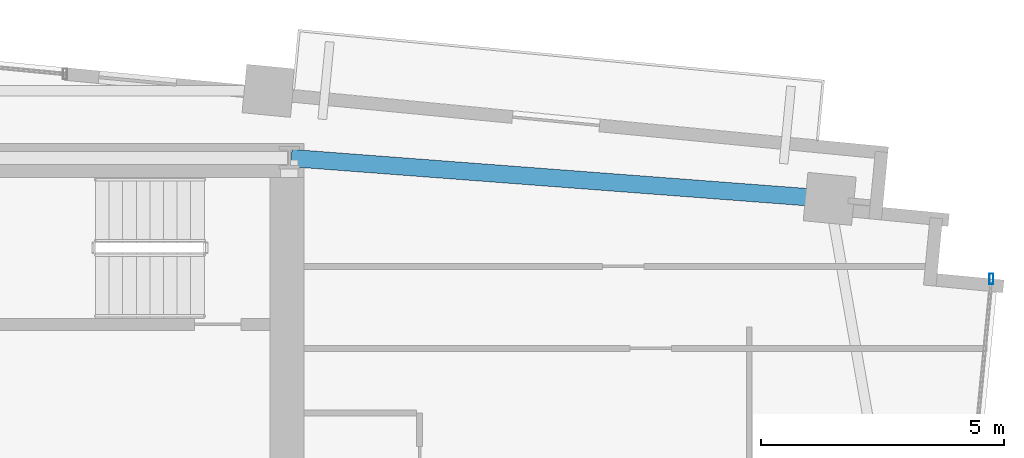
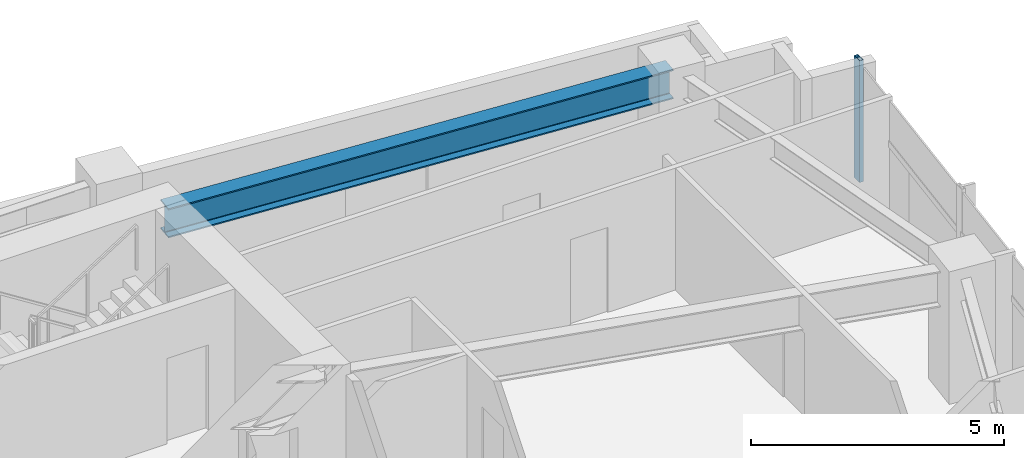
# One storey, part 13 of 20: 1 beam, 1 member, 1 element without a shape of its own.
"""IFC4 building model written with IfcOpenShell, lengths in metres."""

from ifc_helpers import new_model, si_unit, direction, frame, origin, origin_2d, place, context, subcontext, project, spatial, hollow_rectangle, i_section, extrude, source, transform, mapped, material, material_profile, profile_set, type_object, type_shapes, element, aggregate, save


model = new_model("IFC4")

# Units and contexts
model_context = context("Model", 3, precision=1e-05, world=origin(), true_north=direction((0.0, 1.0)))
body_context = subcontext(model_context, "Body", "Model", "MODEL_VIEW")
ifc_project = project(units=[si_unit("LENGTHUNIT", "METRE"), si_unit("AREAUNIT", "SQUARE_METRE"), si_unit("VOLUMEUNIT", "CUBIC_METRE"), si_unit("PLANEANGLEUNIT", "RADIAN"), si_unit("MASSUNIT", "GRAM", prefix="KILO")], contexts=[model_context])

# Site, building, storey
site_placement = place(None, origin())
site = spatial("IfcSite", under=ifc_project, at=site_placement, CompositionType="ELEMENT")
building_placement = place(site_placement, origin())
building = spatial("IfcBuilding", under=site, at=building_placement, Name="Astriad Promenade Condominiums", CompositionType="ELEMENT")
storey_placement = place(building_placement, frame((0.0, 0.0, 127.800048828125)))
storey = spatial("IfcBuildingStorey", under=building, at=storey_placement, Name="L36", CompositionType="ELEMENT", Elevation=127.800048828125)

# Beam
ifc_material_1 = material(Name="Steel ASTM A992 Grade 50", Category="steel")
ifc_material_profile_1 = material_profile(ifc_material_1, i_section(OverallWidth=0.35791015625, OverallDepth=0.706298828125, WebThickness=0.018310546875, FlangeThickness=0.0302734375, FilletRadius=0.020263671875, at=origin_2d()), Name="W27X178")
ifc_profile_set_1 = profile_set([ifc_material_profile_1], Name="Steel ASTM A992 Grade 50")
beam_type = type_object("IfcBeamType", Name="STEEL FLOOR GIRDER W27X178", PredefinedType="BEAM", material=ifc_profile_set_1)
shared_shape_1 = source(origin(), body_context, "Body", "SweptSolid", [
    extrude(i_section(OverallWidth=0.35791015625, OverallDepth=0.706298828125, WebThickness=0.018310546875, FlangeThickness=0.0302734375, FilletRadius=0.020263671875, at=origin_2d()), origin(), (0.0, 0.0, 1.0), 11.0712890625),
])
type_shapes(beam_type, [shared_shape_1])
beam_placement = place(storey_placement, frame((56.679443359375, 23.15966796875, 2.586669921875), z_axis=(-0.997135384808, 0.075637453445, 0.0), x_axis=(-0.075637453445, -0.997135384808, 0.0)))
element("IfcBeam", 1, at=beam_placement, inside=storey, type_object=beam_type, Name="Primary Floor Girder PG-NE-L36", PredefinedType="BEAM", context=body_context, shape_type="MappedRepresentation", body=[
    mapped(shared_shape_1, transform((0.0, 0.0, 0.0), scale=1.0)),
])

# Curtain wall, member
ifc_material_2 = material(Name="Anodised aluminium Black Dark Glass Unitised", Category="aluminium")
curtain_wall_type = type_object("IfcCurtainWallType", Name="CW-B34-DARK", PredefinedType="USERDEFINED", material=ifc_material_2)
curtain_wall_placement = place(storey_placement, origin())
curtain_wall = element("IfcCurtainWall", 2, at=curtain_wall_placement, inside=storey, type_object=curtain_wall_type, Name="CW-L36-E", ObjectType="UNITISED_CURTAIN_WALL", PredefinedType="USERDEFINED")
ifc_material_3 = material(Name="Anodised aluminium 6063-T6 Black", Category="aluminium")
ifc_material_profile_2 = material_profile(ifc_material_3, hollow_rectangle(XDim=0.0849609375, YDim=0.219970703125, WallThickness=0.0048828125, at=origin_2d()), Name="ALU-MUL-85X220")
ifc_profile_set_2 = profile_set([ifc_material_profile_2], Name="Anodised aluminium 6063-T6 Black")
member_type = type_object("IfcMemberType", Name="MUL-ALU-MUL-85X220", PredefinedType="MULLION", material=ifc_profile_set_2)
shared_shape_2 = source(origin(), body_context, "Body", "SweptSolid", [
    extrude(hollow_rectangle(XDim=0.0849609375, YDim=0.219970703125, WallThickness=0.0048828125, at=origin_2d()), origin(), (0.0, 0.0, 1.0), 2.93994140625),
])
type_shapes(member_type, [shared_shape_2])
member_placement = place(storey_placement, frame((60.046875, 21.51025390625, 0.0), z_axis=(0.0, 0.0, 1.0), x_axis=(1.0, 0.0, 0.0)))
member = element("IfcMember", 3, at=member_placement, type_object=member_type, Name="CW-L36-E-MUL-00", PredefinedType="MULLION", context=body_context, shape_type="MappedRepresentation", body=[
    mapped(shared_shape_2, transform((0.0, 0.0, 0.0), scale=1.0)),
])
aggregate(curtain_wall, [member])

save(model, "model.ifc")
